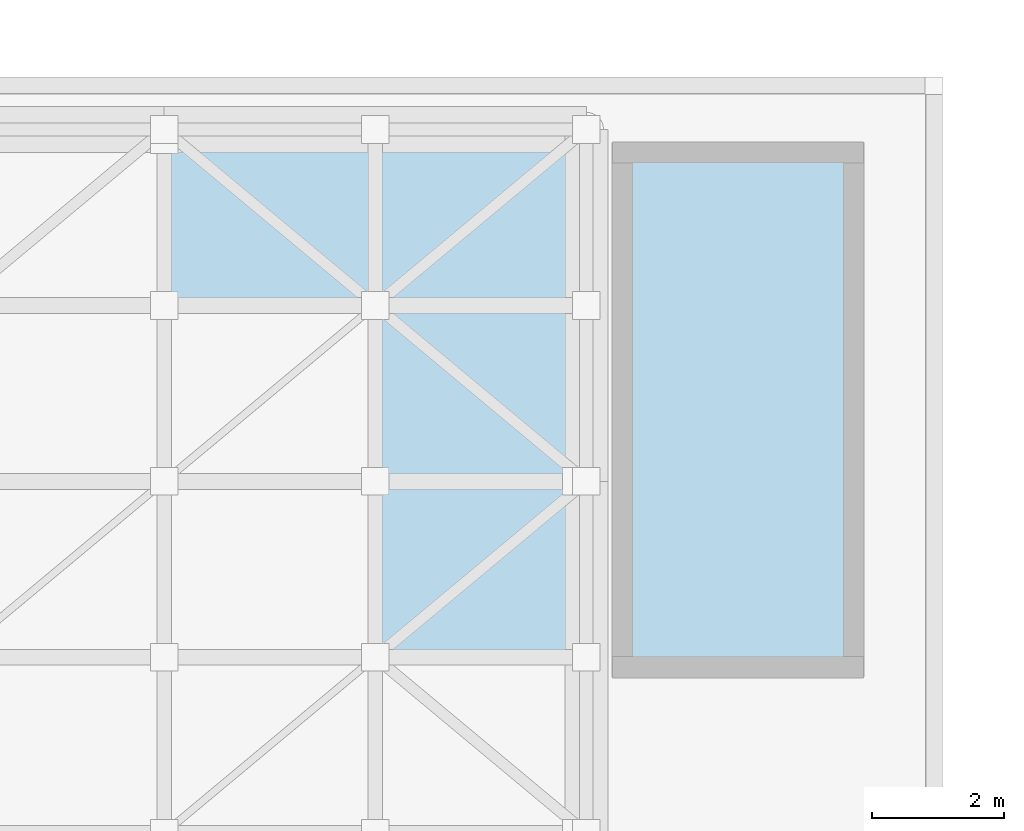
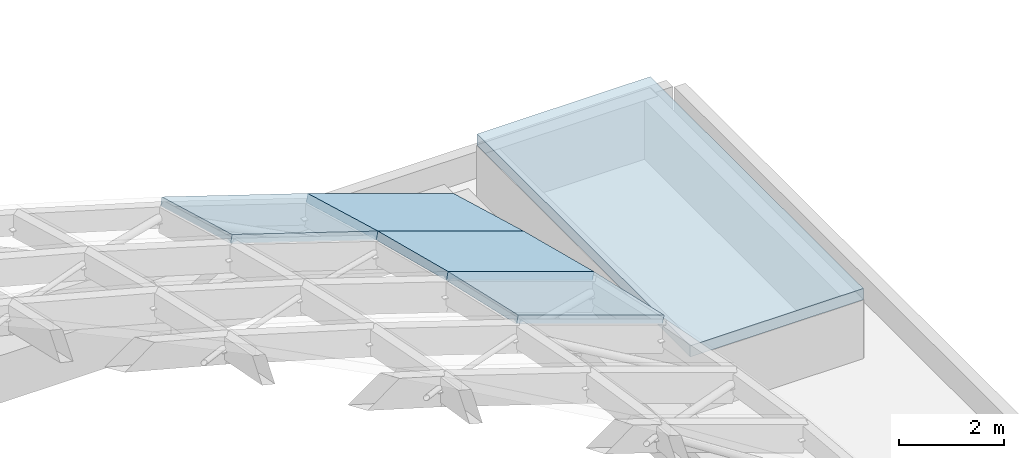
# One storey, part 29 of 40: 5 slabs, 1 element without a shape of its own.
"""IFC4 building model written with IfcOpenShell, lengths in metres."""

from ifc_helpers import new_model, si_unit, direction, frame, origin, place, context, subcontext, project, spatial, polyline, outline, extrude, material, layer, layer_set, type_object, element, aggregate, save


model = new_model("IFC4")

# Units and contexts
model_context = context("Model", 3, precision=1e-05, world=origin(), true_north=direction((0.0, 1.0)))
body_context = subcontext(model_context, "Body", "Model", "MODEL_VIEW")
ifc_project = project(units=[si_unit("LENGTHUNIT", "METRE"), si_unit("AREAUNIT", "SQUARE_METRE"), si_unit("VOLUMEUNIT", "CUBIC_METRE"), si_unit("PLANEANGLEUNIT", "RADIAN"), si_unit("MASSUNIT", "GRAM", prefix="KILO")], contexts=[model_context])

# Site, building, storey
site_placement = place(None, origin())
site = spatial("IfcSite", under=ifc_project, at=site_placement, CompositionType="ELEMENT")
building_placement = place(site_placement, origin())
building = spatial("IfcBuilding", under=site, at=building_placement, Name="Mzevani Central Library", CompositionType="ELEMENT")
storey_placement = place(building_placement, frame((0.0, 0.0, 26.699951171875)))
storey = spatial("IfcBuildingStorey", under=building, at=storey_placement, Name="RF", CompositionType="ELEMENT", Elevation=26.699951171875)

# Slab
ifc_material_1 = material(Name="Precast concrete C40/50", Category="concrete")
ifc_layer_1 = layer(ifc_material_1, 0.260009765625, Name="Flat Thermal Roof Slab 260")
ifc_layer_set_1 = layer_set([ifc_layer_1], Name="Precast concrete C40/50")
slab_type_1 = type_object("IfcSlabType", Name="Flat Thermal Roof Slab 260", PredefinedType="ROOF", material=ifc_layer_set_1)
slab_1_placement = place(storey_placement, frame((0.0, 0.0, -11.39990234375)))
element("IfcSlab", 1, at=slab_1_placement, inside=storey, type_object=slab_type_1, Name="RF Core C1B Reading Hall East Overrun Roof Slab", PredefinedType="ROOF", context=body_context, shape_type="SweptSolid", body=[
    extrude(outline(polyline([(159.39990234375, 66.800048828125), (163.199951171875, 66.800048828125), (163.199951171875, 74.89990234375), (159.39990234375, 74.89990234375), (159.39990234375, 66.800048828125)])), origin(), (0.0, 0.0, 1.0), 0.260009765625),
])

# Roof, slabs
ifc_material_2 = material(Name="Glulam GL28h", Category="wood")
roof_type = type_object("IfcRoofType", Name="Translational Gridshell Pavilion Roof", PredefinedType="PAVILION_ROOF", material=ifc_material_2)
roof_placement = place(storey_placement, origin())
roof = element("IfcRoof", 2, at=roof_placement, inside=storey, type_object=roof_type, Name="RF Volume V1 Main Reading Hall Translational Gridshell Roof", PredefinedType="PAVILION_ROOF")
ifc_layer_2 = layer(ifc_material_2, 0.179931640625, Name="Gridshell Roof Quad Slab 180")
ifc_layer_set_2 = layer_set([ifc_layer_2], Name="Glulam GL28h")
slab_type_2 = type_object("IfcSlabType", Name="Gridshell Roof Quad Slab 180", PredefinedType="ROOF", material=ifc_layer_set_2)
slab_2_placement = place(storey_placement, frame((152.60009765625, 72.433349609375, -9.594482421875), z_axis=(0.298842786236, 0.256259459268, 0.919251912508), x_axis=(0.951007938159, 0.0, -0.309166462539)))
slab_2 = element("IfcSlab", 3, at=slab_2_placement, type_object=slab_type_2, Name="RF Gridshell Roof Panel 13.12", PredefinedType="ROOF", context=body_context, shape_type="SweptSolid", body=[
    extrude(outline(polyline([(0.0, 0.0), (3.364799644122692, 0.0), (3.5946365285051245, 2.7588722167876027), (0.22983688438243205, 2.7588722167876027), (0.0, 0.0)])), origin(), (0.0, 0.0, -1.0), 0.179931640625),
])
slab_3_placement = place(storey_placement, frame((155.800048828125, 67.10009765625, -9.349609375), z_axis=(0.323411186578, 0.209769282972, 0.922714502063), x_axis=(0.943711214964, 0.0, -0.330770528843)))
slab_3 = element("IfcSlab", 4, at=slab_3_placement, type_object=slab_type_2, Name="RF Gridshell Roof Panel 14.10", PredefinedType="ROOF", context=body_context, shape_type="SweptSolid", body=[
    extrude(outline(polyline([(0.0, 0.0), (3.3908160898531583, 0.0), (3.5913295720594838, 2.7271811979189478), (0.2005134822063253, 2.7271811979189478), (0.0, 0.0)])), origin(), (0.0, 0.0, -1.0), 0.179931640625),
])
slab_4_placement = place(storey_placement, frame((155.800048828125, 69.7666015625, -9.955810546875), z_axis=(0.321645627911, 0.233657554325, 0.917577374041), x_axis=(0.943700590547, -7.718419e-06, -0.330800839392)))
slab_4 = element("IfcSlab", 5, at=slab_4_placement, type_object=slab_type_2, Name="RF Gridshell Roof Panel 14.11", PredefinedType="ROOF", context=body_context, shape_type="SweptSolid", body=[
    extrude(outline(polyline([(0.0, 0.0), (3.3908160880031604, -2.7755575615628914e-17), (3.615475176601402, 2.742696666718075), (0.22457832667456185, 2.7426428324274017), (0.0, 0.0)])), origin(), (0.0, 0.0, -1.0), 0.179931640625),
])
slab_5_placement = place(storey_placement, frame((155.800048828125, 72.433349609375, -10.634765625), z_axis=(0.319948551713, 0.254415341198, 0.912636706702), x_axis=(0.943688738215, 0.0, -0.330834649584)))
slab_5 = element("IfcSlab", 6, at=slab_5_placement, type_object=slab_type_2, Name="RF Gridshell Roof Panel 14.12", PredefinedType="ROOF", context=body_context, shape_type="SweptSolid", body=[
    extrude(outline(polyline([(0.0, 0.0), (3.3908968522041336, 0.0), (3.6368420445829863, 2.757482885591658), (0.24594519237885254, 2.757482885591658), (0.0, 0.0)])), origin(), (0.0, 0.0, -1.0), 0.179931640625),
])
aggregate(roof, [slab_2, slab_3, slab_4, slab_5])

save(model, "model.ifc")
